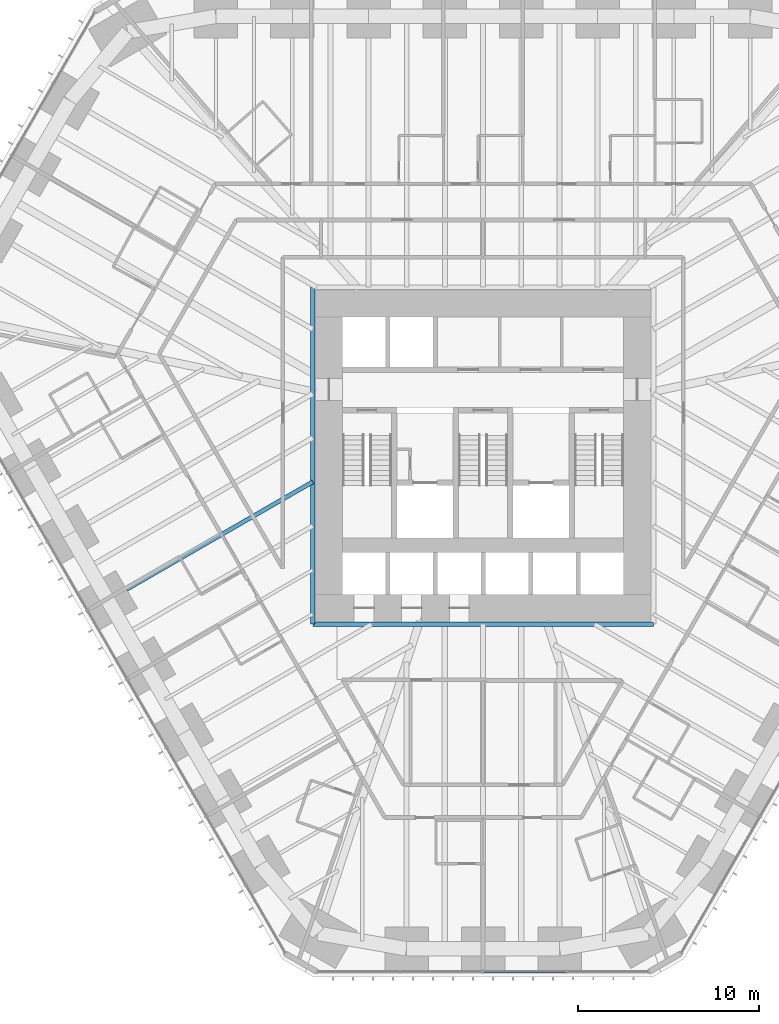
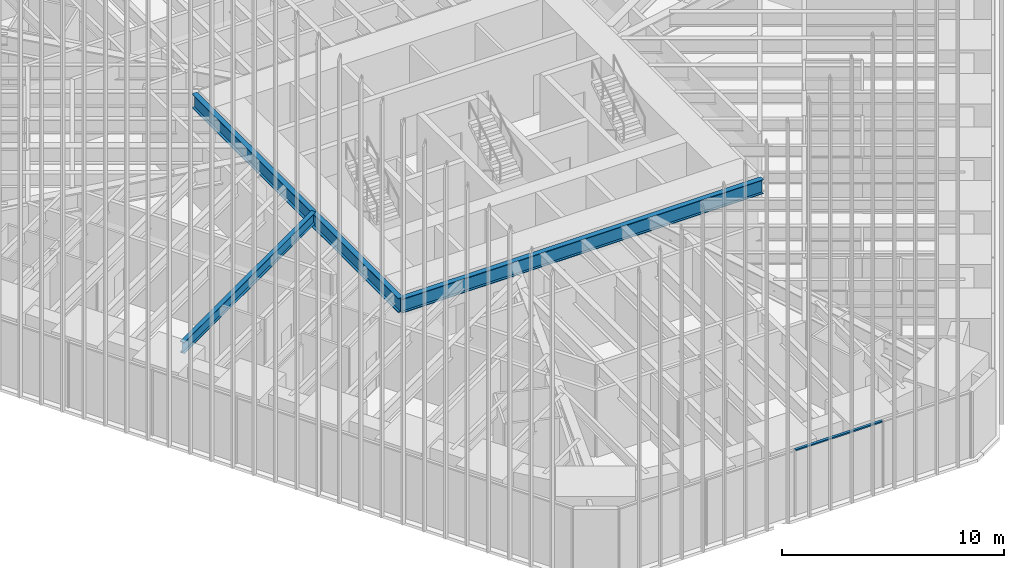
# One storey, part 67 of 256: 3 beams, 1 member, 1 element without a shape of its own.
"""IFC4 building model written with IfcOpenShell, lengths in metres."""

from ifc_helpers import new_model, si_unit, direction, frame, origin, origin_2d, place, context, subcontext, project, spatial, rectangle, i_section, extrude, material, material_profile, profile_set, type_object, element, aggregate, save


model = new_model("IFC4")

# Units and contexts
model_context = context("Model", 3, precision=1e-05, world=origin(), true_north=direction((0.0, 1.0)))
body_context = subcontext(model_context, "Body", "Model", "MODEL_VIEW")
ifc_project = project(units=[si_unit("LENGTHUNIT", "METRE"), si_unit("AREAUNIT", "SQUARE_METRE"), si_unit("VOLUMEUNIT", "CUBIC_METRE"), si_unit("PLANEANGLEUNIT", "RADIAN"), si_unit("MASSUNIT", "GRAM", prefix="KILO")], contexts=[model_context])

# Site, building, storey
site_placement = place(None, origin())
site = spatial("IfcSite", under=ifc_project, at=site_placement, CompositionType="ELEMENT")
building_placement = place(site_placement, origin())
building = spatial("IfcBuilding", under=site, at=building_placement, Name="Sandreach Pilgrim Tower", CompositionType="ELEMENT")
storey_placement = place(building_placement, frame((0.0, 0.0, 23.0)))
storey = spatial("IfcBuildingStorey", under=building, at=storey_placement, Name="L04", CompositionType="ELEMENT", Elevation=23.0)

# Curtain wall, member
ifc_material_1 = material(Name="Aluminium framed curtain wall", Category="aluminium")
curtain_wall_type = type_object("IfcCurtainWallType", Name="Hostel tower curtain wall", PredefinedType="NOTDEFINED", material=ifc_material_1)
curtain_wall_placement = place(storey_placement, origin())
curtain_wall = element("IfcCurtainWall", 1, at=curtain_wall_placement, inside=storey, type_object=curtain_wall_type, Name="CW-1 L04 S", PredefinedType="NOTDEFINED")
ifc_material_2 = material(Name="Aluminium extrusion", Category="aluminium")
ifc_material_profile_1 = material_profile(ifc_material_2, rectangle(XDim=0.139892578125, YDim=0.070068359375, at=origin_2d()), Name="CW-1T 140X70")
ifc_profile_set_1 = profile_set([ifc_material_profile_1], Name="Aluminium extrusion")
member_type = type_object("IfcMemberType", Name="CW-1 transom", PredefinedType="USERDEFINED", material=ifc_profile_set_1)
member_placement = place(storey_placement, frame((4.553466796875, -30.010986328125, 3.60498046875), z_axis=(-1.0, 0.0, 0.0), x_axis=(0.0, -1.0, 0.0)))
member = element("IfcMember", 2, at=member_placement, type_object=member_type, Name="CW-1 head transom 2", ObjectType="TRANSOM", PredefinedType="USERDEFINED", context=body_context, shape_type="SweptSolid", body=[
    extrude(rectangle(XDim=0.139892578125, YDim=0.070068359375, at=origin_2d()), origin(), (0.0, 0.0, 1.0), 4.52099609375),
])
aggregate(curtain_wall, [member])

# Beams
ifc_material_3 = material(Name="Steel ASTM A992 Grade 50", Category="steel")
ifc_material_profile_2 = material_profile(ifc_material_3, i_section(OverallWidth=0.2666015625, OverallDepth=0.77978515625, WebThickness=0.0166015625, FlangeThickness=0.030029296875, at=origin_2d()), Name="W30X148")
ifc_profile_set_2 = profile_set([ifc_material_profile_2], Name="Steel ASTM A992 Grade 50")
beam_type_1 = type_object("IfcBeamType", Name="Core edge beam W30X148", PredefinedType="BEAM", material=ifc_profile_set_2)
beam_1_placement = place(storey_placement, frame((9.393310546875, -10.84326171875, 3.25), z_axis=(-1.0, 0.0, 0.0), x_axis=(0.0, -1.0, 0.0)))
element("IfcBeam", 3, at=beam_1_placement, inside=storey, type_object=beam_type_1, Name="BM L04 CES", PredefinedType="BEAM", context=body_context, shape_type="SweptSolid", body=[
    extrude(i_section(OverallWidth=0.2666015625, OverallDepth=0.77978515625, WebThickness=0.0166015625, FlangeThickness=0.030029296875, at=origin_2d()), origin(), (0.0, 0.0, 1.0), 18.78662109375),
])
beam_2_placement = place(storey_placement, frame((-9.393310546875, -10.84326171875, 3.25), z_axis=(0.0, 1.0, 0.0), x_axis=(-1.0, 0.0, 0.0)))
element("IfcBeam", 4, at=beam_2_placement, inside=storey, type_object=beam_type_1, Name="BM L04 CEW", PredefinedType="BEAM", context=body_context, shape_type="SweptSolid", body=[
    extrude(i_section(OverallWidth=0.2666015625, OverallDepth=0.77978515625, WebThickness=0.0166015625, FlangeThickness=0.030029296875, at=origin_2d()), origin(), (0.0, 0.0, 1.0), 18.586669921875),
])
ifc_material_4 = material(Name="Steel ASTM A992 Grade 50", Category="steel")
ifc_material_profile_3 = material_profile(ifc_material_4, i_section(OverallWidth=0.23046875, OverallDepth=0.6171875, WebThickness=0.01318359375, FlangeThickness=0.022216796875, at=origin_2d()), Name="W24X94")
ifc_profile_set_3 = profile_set([ifc_material_profile_3], Name="Steel ASTM A992 Grade 50")
beam_type_2 = type_object("IfcBeamType", Name="Floor beam W24X94", PredefinedType="BEAM", material=ifc_profile_set_3)
beam_3_placement = place(storey_placement, frame((-19.662353515625, -8.92138671875, 3.331298828125), z_axis=(0.866029924088, 0.499992170523, 0.0), x_axis=(-0.499992170523, 0.866029924088, 0.0)))
element("IfcBeam", 5, at=beam_3_placement, inside=storey, type_object=beam_type_2, Name="BM L04 F31", PredefinedType="BEAM", context=body_context, shape_type="SweptSolid", body=[
    extrude(i_section(OverallWidth=0.23046875, OverallDepth=0.6171875, WebThickness=0.01318359375, FlangeThickness=0.022216796875, at=origin_2d()), origin(), (0.0, 0.0, 1.0), 11.857666015625),
])

save(model, "model.ifc")
